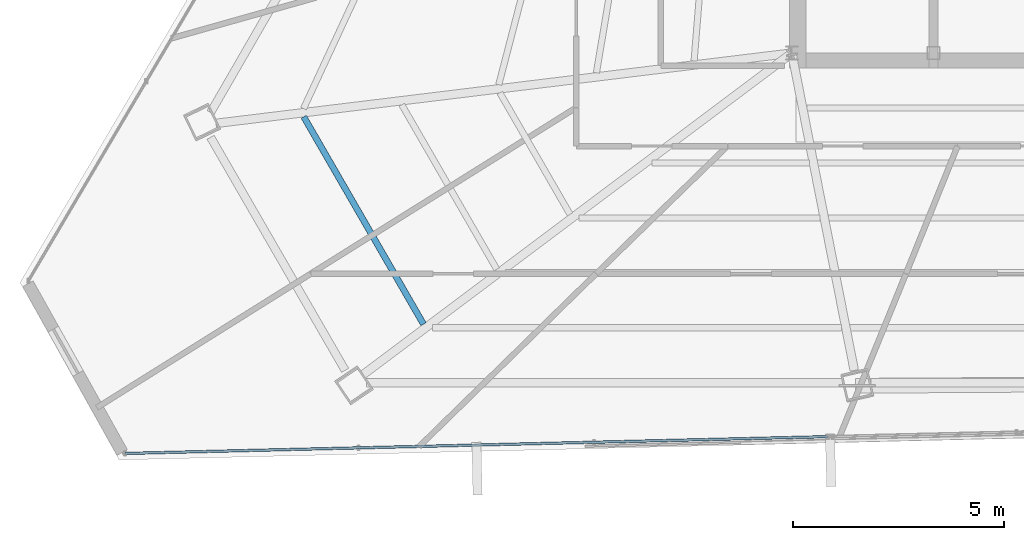
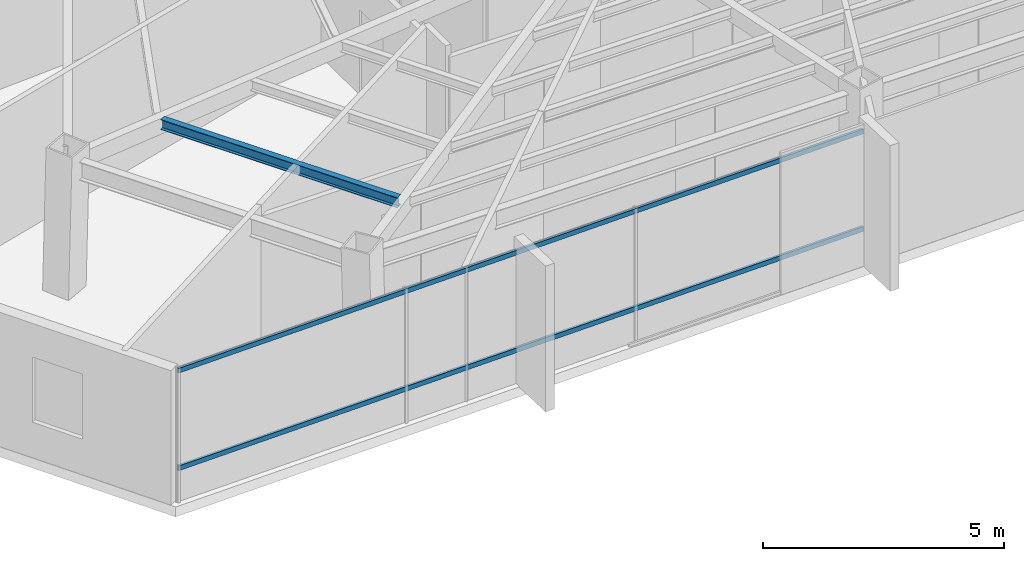
# One storey, part 4 of 45: 2 members, 1 beam, 1 element without a shape of its own.
"""IFC4 building model written with IfcOpenShell, lengths in metres."""

import ifcopenshell
import ifcopenshell.guid

model = None  # the IFC model being written
_history = None  # IfcOwnerHistory: only IFC2X3 demands one
_inside = {}  # id of a spatial element -> (the spatial element, [elements in it])
_under = {}  # id of a project, library or spatial element -> (it, [spatial elements below it])
_declared = {}  # id of a project -> (the project, [libraries it declares])
_typed = {}  # id of a type object -> (the type object, [elements of that type])
_made_of = {}  # id of a material, layer set ... -> (it, [elements and type objects made of it])


def new_model(schema):
    """Start an empty IFC model of exactly this schema.

    Asked for "IFC4X3", IfcOpenShell would pick the latest addendum, in which some entities
    have other attributes; the version numbers below select the first issue.
    IFC2X3 requires an IfcOwnerHistory on every rooted entity: one is made here for all.
    """
    global model, _history
    if schema == "IFC4X3":
        model = ifcopenshell.file(schema_version=(4, 3, 0, 0))
    else:
        model = ifcopenshell.file(schema=schema)
    _inside.clear()
    _under.clear()
    _declared.clear()
    _typed.clear()
    _made_of.clear()
    _history = None
    if model.schema == "IFC2X3":
        org = make("IfcOrganization", Name="unknown")
        user = make(
            "IfcPersonAndOrganization",
            ThePerson=make("IfcPerson", FamilyName="unknown"),
            TheOrganization=org,
        )
        app = make(
            "IfcApplication",
            ApplicationDeveloper=org,
            Version="unknown",
            ApplicationFullName="unknown",
            ApplicationIdentifier="unknown",
        )
        _history = make(
            "IfcOwnerHistory",
            OwningUser=user,
            OwningApplication=app,
            ChangeAction="ADDED",
            CreationDate=0,
        )
    return model


def make(cls, **values):
    """One entity of the class cls with the attributes given. An attribute that is None is left unset."""
    return model.create_entity(
        cls, **{name: value for name, value in values.items() if value is not None}
    )


def rooted(cls, **values):
    """An entity with a GlobalId (a new one), such as an element, a storey or a relation."""
    return make(cls, GlobalId=ifcopenshell.guid.new(), OwnerHistory=_history, **values)


def si_unit(unit_type, name, prefix=None):
    """IfcSIUnit, for example si_unit("LENGTHUNIT", "METRE", prefix="MILLI")."""
    return make("IfcSIUnit", UnitType=unit_type, Prefix=prefix, Name=name)


def assignment(units):
    """IfcUnitAssignment: the units of a project."""
    return None if units is None else make("IfcUnitAssignment", Units=units)


def point(xyz):
    """IfcCartesianPoint."""
    return None if xyz is None else make("IfcCartesianPoint", Coordinates=xyz)


def direction(xyz):
    """IfcDirection."""
    return None if xyz is None else make("IfcDirection", DirectionRatios=xyz)


def frame(location, z_axis=None, x_axis=None):
    """IfcAxis2Placement3D, a coordinate frame: its origin and axes. An axis left out is left unset."""
    return make(
        "IfcAxis2Placement3D",
        Location=point(location),
        Axis=direction(z_axis),
        RefDirection=direction(x_axis),
    )


def frame_2d(location, x_axis=None):
    """IfcAxis2Placement2D, a coordinate frame in the plane: its origin and x axis."""
    return make(
        "IfcAxis2Placement2D", Location=point(location), RefDirection=direction(x_axis)
    )


def origin():
    """The frame at (0, 0, 0) with its axes left unset."""
    return frame((0.0, 0.0, 0.0))


def origin_2d():
    """The frame at (0, 0) in the plane with its x axis left unset."""
    return frame_2d((0.0, 0.0))


def place(relative_to, where):
    """IfcLocalPlacement: puts the frame where relative to a parent placement (None: the world)."""
    return make(
        "IfcLocalPlacement", PlacementRelTo=relative_to, RelativePlacement=where
    )


def context(
    kind, dimensions, precision=None, world=None, true_north=None, identifier=None
):
    """IfcGeometricRepresentationContext, for example the 3D "Model" context."""
    return make(
        "IfcGeometricRepresentationContext",
        ContextIdentifier=identifier,
        ContextType=kind,
        CoordinateSpaceDimension=dimensions,
        Precision=precision,
        WorldCoordinateSystem=world,
        TrueNorth=true_north,
    )


def subcontext(parent, identifier, kind, view, scale=None):
    """IfcGeometricRepresentationSubContext, for example "Body" below "Model"."""
    return make(
        "IfcGeometricRepresentationSubContext",
        ContextIdentifier=identifier,
        ContextType=kind,
        ParentContext=parent,
        TargetScale=scale,
        TargetView=view,
    )


def project(units=None, contexts=None):
    """IfcProject with its units and contexts."""
    return rooted(
        "IfcProject",
        Name="project",
        RepresentationContexts=contexts,
        UnitsInContext=assignment(units),
    )


def spatial(cls, under=None, at=None, **own):
    """A site, building, storey or space (cls), placed at a placement, below another one or the project."""
    s = rooted(cls, ObjectPlacement=at, **own)
    if under is not None:
        _under.setdefault(under.id(), (under, []))[1].append(s)
    return s


def profile(cls, at=None, kind="AREA", **sizes):
    """A parametric profile (cls). Its sizes go by their IFC names, for example OverallWidth=200.0."""
    return make(cls, ProfileType=kind, Position=at, **sizes)


def hollow_rectangle(**sizes):
    """IfcRectangleHollowProfileDef."""
    return profile("IfcRectangleHollowProfileDef", **sizes)


def i_section(**sizes):
    """IfcIShapeProfileDef."""
    return profile("IfcIShapeProfileDef", **sizes)


def extrude(swept, where, along, depth):
    """IfcExtrudedAreaSolid: the profile swept, set in the frame where, extruded along a direction by depth."""
    return make(
        "IfcExtrudedAreaSolid",
        SweptArea=swept,
        Position=where,
        ExtrudedDirection=direction(along),
        Depth=depth,
    )


def shape(context_of_items, identifier, shape_type, items):
    """IfcShapeRepresentation: the items that make up one representation, for example the "Body"."""
    return make(
        "IfcShapeRepresentation",
        ContextOfItems=context_of_items,
        RepresentationIdentifier=identifier,
        RepresentationType=shape_type,
        Items=items,
    )


def source(mapping_origin, context_of_items, identifier, shape_type, items):
    """IfcRepresentationMap: a shape defined once, which mapped items show again and again."""
    return make(
        "IfcRepresentationMap",
        MappingOrigin=mapping_origin,
        MappedRepresentation=shape(context_of_items, identifier, shape_type, items),
    )


def transform(
    local_origin,
    x_axis=None,
    y_axis=None,
    z_axis=None,
    scale=None,
    scale2=None,
    scale3=None,
    uniform=True,
):
    """IfcCartesianTransformationOperator3D, or its non-uniform kind. x_axis, y_axis, z_axis: its Axis1, 2, 3."""
    if uniform:
        return make(
            "IfcCartesianTransformationOperator3D",
            Axis1=direction(x_axis),
            Axis2=direction(y_axis),
            LocalOrigin=point(local_origin),
            Scale=scale,
            Axis3=direction(z_axis),
        )
    return make(
        "IfcCartesianTransformationOperator3DnonUniform",
        Axis1=direction(x_axis),
        Axis2=direction(y_axis),
        LocalOrigin=point(local_origin),
        Scale=scale,
        Axis3=direction(z_axis),
        Scale2=scale2,
        Scale3=scale3,
    )


def mapped(mapping_source, mapping_target):
    """IfcMappedItem: shows the shape of a source again, moved by a transform."""
    return make(
        "IfcMappedItem", MappingSource=mapping_source, MappingTarget=mapping_target
    )


def material(Name=None, Category=None):
    """IfcMaterial."""
    return make("IfcMaterial", Name=Name, Category=Category)


def material_profile(
    of_material, cross_section, Name=None, Category=None, Priority=None
):
    """IfcMaterialProfile: a cross section and its material."""
    return make(
        "IfcMaterialProfile",
        Name=Name,
        Material=of_material,
        Profile=cross_section,
        Priority=Priority,
        Category=Category,
    )


def profile_set(profiles, Name=None, composite=None):
    """IfcMaterialProfileSet."""
    return make(
        "IfcMaterialProfileSet",
        Name=Name,
        MaterialProfiles=profiles,
        CompositeProfile=composite,
    )


def made_of(thing, what):
    """Note that an element or type object is made of a material, layer set ...; save() writes the relation."""
    if what is not None:
        _made_of.setdefault(what.id(), (what, []))[1].append(thing)
    return thing


def type_object(cls, material=None, **own):
    """A type object (cls), such as IfcWallType, which elements share."""
    return made_of(rooted(cls, **own), material)


def type_shapes(of_type, sources):
    """Give a type object the sources (RepresentationMaps) that its elements show as mapped items."""
    of_type.RepresentationMaps = sources


def element(
    cls,
    number,
    at=None,
    inside=None,
    cuts=None,
    type_object=None,
    material=None,
    context=None,
    identifier="Body",
    shape_type=None,
    held_by="IfcProductDefinitionShape",
    body=None,
    shapes=None,
    **own,
):
    """One element of the class cls, such as IfcWall. Its Tag is "e" and its number.

    at: its placement. inside: the storey or other place that contains it. cuts: it is an
    opening in that element (IfcRelVoidsElement). A single representation is given by context,
    identifier, shape_type and body (its items); several are given by shapes. held_by: the class
    of the entity that holds the representations. save() writes the other relations.
    """
    e = rooted(cls, Tag="e%d" % number, ObjectPlacement=at, **own)
    if body is not None:
        shapes = [shape(context, identifier, shape_type, body)]
    if shapes is not None:
        e.Representation = make(held_by, Representations=shapes)
    if inside is not None:
        _inside.setdefault(inside.id(), (inside, []))[1].append(e)
    if cuts is not None:
        rooted(
            "IfcRelVoidsElement", RelatingBuildingElement=cuts, RelatedOpeningElement=e
        )
    if type_object is not None:
        _typed.setdefault(type_object.id(), (type_object, []))[1].append(e)
    return made_of(e, material)


def aggregate(whole, parts):
    """IfcRelAggregates: a whole, such as a stair, and the parts it consists of."""
    return rooted("IfcRelAggregates", RelatingObject=whole, RelatedObjects=parts)


def save(model, path):
    """Write the relations noted so far, then the file.

    IfcRelAggregates (storeys below a building ...), IfcRelContainedInSpatialStructure (elements
    in a storey), IfcRelDefinesByType, IfcRelAssociatesMaterial and IfcRelDeclares: one each for
    every whole, place, type object, material and project.
    """
    for whole, parts in _under.values():
        aggregate(whole, parts)
    for where, things in _inside.values():
        rooted(
            "IfcRelContainedInSpatialStructure",
            RelatedElements=things,
            RelatingStructure=where,
        )
    for kind, things in _typed.values():
        rooted("IfcRelDefinesByType", RelatedObjects=things, RelatingType=kind)
    for what, things in _made_of.values():
        rooted("IfcRelAssociatesMaterial", RelatedObjects=things, RelatingMaterial=what)
    for by, libraries in _declared.values():
        rooted("IfcRelDeclares", RelatingContext=by, RelatedDefinitions=libraries)
    model.write(path)


model = new_model("IFC4")

# Units and contexts
model_context = context("Model", 3, precision=1e-05, world=origin(), true_north=direction((0.0, 1.0)))
body_context = subcontext(model_context, "Body", "Model", "MODEL_VIEW")
ifc_project = project(units=[si_unit("LENGTHUNIT", "METRE"), si_unit("AREAUNIT", "SQUARE_METRE"), si_unit("VOLUMEUNIT", "CUBIC_METRE"), si_unit("PLANEANGLEUNIT", "RADIAN"), si_unit("MASSUNIT", "GRAM", prefix="KILO")], contexts=[model_context])

# Site, building, storey
site_placement = place(None, origin())
site = spatial("IfcSite", under=ifc_project, at=site_placement, CompositionType="ELEMENT")
building_placement = place(site_placement, origin())
building = spatial("IfcBuilding", under=site, at=building_placement, Name="Caelisora Broadcast Tower", CompositionType="ELEMENT")
storey_placement = place(building_placement, frame((0.0, 0.0, 266.35009765625)))
storey = spatial("IfcBuildingStorey", under=building, at=storey_placement, Name="L70", CompositionType="ELEMENT", Elevation=266.35009765625)

# Beam
ifc_material_1 = material(Name="Steel Grade 350 (AS/NZS 3679.1)", Category="steel")
ifc_material_profile_1 = material_profile(ifc_material_1, i_section(OverallWidth=0.14599609375, OverallDepth=0.256103515625, WebThickness=0.00634765625, FlangeThickness=0.010986328125, at=origin_2d()), Name="Steel Grade 350 (AS/NZS 3679.1)")
ifc_profile_set_1 = profile_set([ifc_material_profile_1], Name="Steel Grade 350 (AS/NZS 3679.1)")
beam_type = type_object("IfcBeamType", Name="SB04", PredefinedType="JOIST", material=ifc_profile_set_1)
shared_shape_1 = source(origin(), body_context, "Body", "SweptSolid", [
    extrude(i_section(OverallWidth=0.14599609375, OverallDepth=0.256103515625, WebThickness=0.00634765625, FlangeThickness=0.010986328125, at=origin_2d()), origin(), (0.0, 0.0, 1.0), 5.665283203125),
])
type_shapes(beam_type, [shared_shape_1])
beam_placement = place(storey_placement, frame((18.954345703125, 15.891845703125, 3.271728515625), z_axis=(0.500018389893, -0.866014786115, 0.0), x_axis=(0.866014786115, 0.500018389893, 0.0)))
element("IfcBeam", 1, at=beam_placement, inside=storey, type_object=beam_type, Name="L70 beam SB04", PredefinedType="JOIST", context=body_context, shape_type="MappedRepresentation", body=[
    mapped(shared_shape_1, transform((0.0, 0.0, 0.0), scale=1.0)),
])

# Curtain wall, members
ifc_material_2 = material(Name="Unitised Aluminium and Low-E Glass Curtain Wall", Category="glass")
curtain_wall_type = type_object("IfcCurtainWallType", Name="CW-Z5", PredefinedType="NOTDEFINED", material=ifc_material_2)
curtain_wall_placement = place(storey_placement, origin())
curtain_wall = element("IfcCurtainWall", 2, at=curtain_wall_placement, inside=storey, type_object=curtain_wall_type, Name="L70 curtain wall CW-Z5", PredefinedType="NOTDEFINED")
ifc_material_3 = material(Name="Aluminium 6063-T6 Anodised Terracotta Bronze", Category="aluminium")
ifc_material_profile_2 = material_profile(ifc_material_3, hollow_rectangle(XDim=0.06005859375, YDim=0.1201171875, WallThickness=0.0029296875, at=origin_2d()), Name="Aluminium 6063-T6 Anodised Terracotta Bronze")
ifc_profile_set_2 = profile_set([ifc_material_profile_2], Name="Aluminium 6063-T6 Anodised Terracotta Bronze")
member_type = type_object("IfcMemberType", Name="CWT-03", PredefinedType="USERDEFINED", material=ifc_profile_set_2)
shared_shape_2 = source(origin(), body_context, "Body", "SweptSolid", [
    extrude(hollow_rectangle(XDim=0.06005859375, YDim=0.1201171875, WallThickness=0.0029296875, at=origin_2d()), origin(), (0.0, 0.0, 1.0), 16.6298828125),
])
type_shapes(member_type, [shared_shape_2])
member_1_placement = place(storey_placement, frame((31.349365234375, 8.32568359375, 0.849853515625), z_axis=(-0.999714348355, -0.023900244638, 0.0), x_axis=(0.023900244638, -0.999714348355, 0.0)))
member_1 = element("IfcMember", 3, at=member_1_placement, type_object=member_type, Name="L70-CW-B07 transom #1", ObjectType="TRANSOM", PredefinedType="USERDEFINED", context=body_context, shape_type="MappedRepresentation", body=[
    mapped(shared_shape_2, transform((0.0, 0.0, 0.0), scale=1.0)),
])
member_2_placement = place(storey_placement, frame((31.349365234375, 8.32568359375, 3.31982421875), z_axis=(-0.999714348355, -0.023900244638, 0.0), x_axis=(0.023900244638, -0.999714348355, 0.0)))
member_2 = element("IfcMember", 4, at=member_2_placement, type_object=member_type, Name="L70-CW-B07 transom #2", ObjectType="TRANSOM", PredefinedType="USERDEFINED", context=body_context, shape_type="MappedRepresentation", body=[
    mapped(shared_shape_2, transform((0.0, 0.0, 0.0), scale=1.0)),
])
aggregate(curtain_wall, [member_1, member_2])

save(model, "model.ifc")
